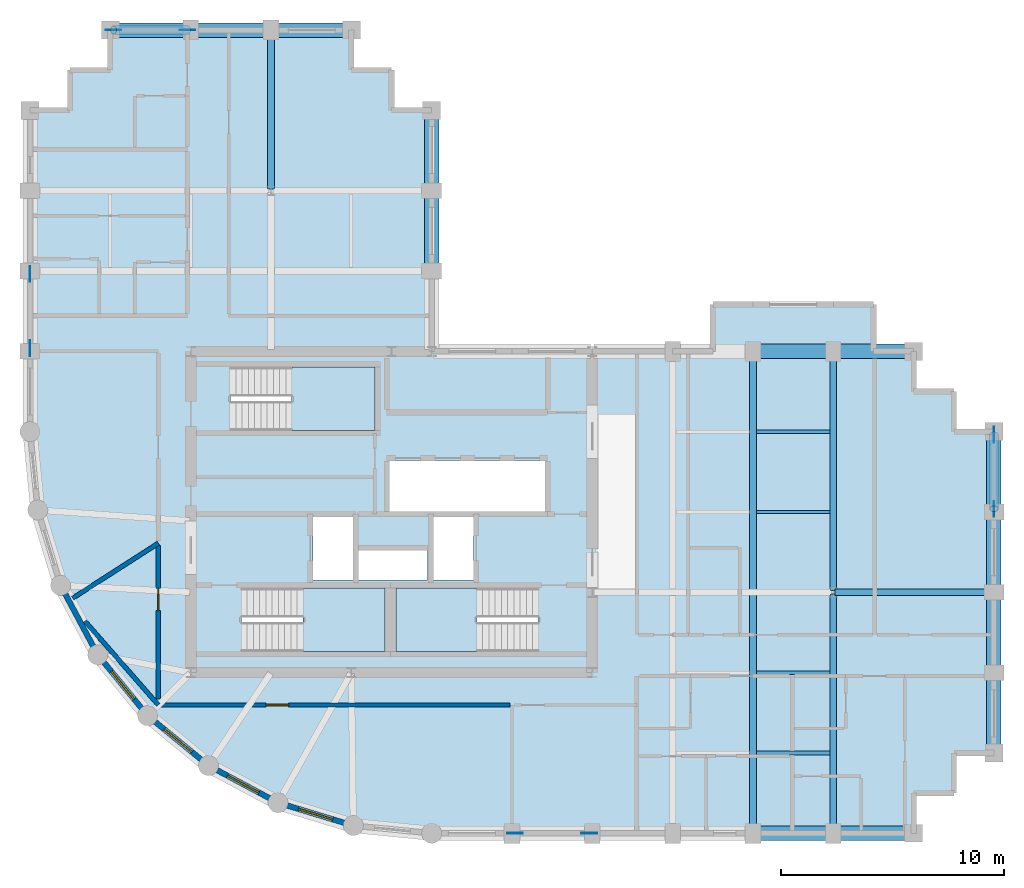
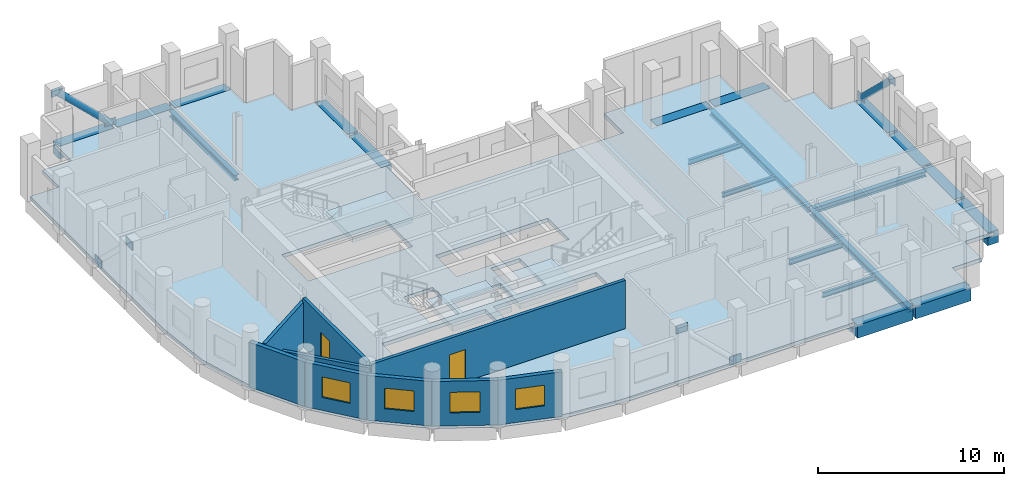
# One storey, part 2 of 8: 22 beams, 9 walls, 8 plates, 4 slabs, 4 windows, 2 doors, 2 members, 6 openings, 3 elements without a shape of their own.
"""IFC4 building model written with IfcOpenShell, lengths in metres."""

from ifc_helpers import new_model, si_unit, direction, frame, frame_2d, origin, origin_2d, place, context, subcontext, project, spatial, polyline, rectangle, hollow_circle, i_section, outline, extrude, material, layer, layer_set, material_profile, profile_set, type_object, element, fill, aggregate, save


model = new_model("IFC4")

# Units and contexts
model_context = context("Model", 3, precision=1e-05, world=origin(), true_north=direction((0.0, 1.0)))
body_context = subcontext(model_context, "Body", "Model", "MODEL_VIEW")
ifc_project = project(units=[si_unit("LENGTHUNIT", "METRE"), si_unit("AREAUNIT", "SQUARE_METRE"), si_unit("VOLUMEUNIT", "CUBIC_METRE"), si_unit("PLANEANGLEUNIT", "RADIAN"), si_unit("MASSUNIT", "GRAM", prefix="KILO")], contexts=[model_context])

# Site, building, storey
site_placement = place(None, origin())
site = spatial("IfcSite", under=ifc_project, at=site_placement, CompositionType="ELEMENT")
building_placement = place(site_placement, origin())
building = spatial("IfcBuilding", under=site, at=building_placement, Name="Solnavia Interchange Tower", CompositionType="ELEMENT")
storey_placement = place(building_placement, frame((0.0, 0.0, 186.199951171875)))
storey = spatial("IfcBuildingStorey", under=building, at=storey_placement, Name="L46", CompositionType="ELEMENT", Elevation=186.199951171875)

# Beams
ifc_material_1 = material(Name="Steel S460", Category="steel")
ifc_material_profile_1 = material_profile(ifc_material_1, i_section(OverallWidth=0.300048828125, OverallDepth=0.360107421875, WebThickness=0.012451171875, FlangeThickness=0.0224609375, FilletRadius=0.027099609375, at=origin_2d()), Name="HEB 360")
ifc_profile_set_1 = profile_set([ifc_material_profile_1], Name="Steel S460")
beam_type_1 = type_object("IfcBeamType", Name="Beam-Girder-HEB360", PredefinedType="BEAM", material=ifc_profile_set_1)
beam_1_placement = place(storey_placement, frame((43.280029296875, 14.39990234375, -0.429931640625), z_axis=(1.0, 0.0, 0.0), x_axis=(0.0, 1.0, 0.0)))
element("IfcBeam", 1, at=beam_1_placement, inside=storey, type_object=beam_type_1, Name="GRD-L46-ES02 East wing spine girder", PredefinedType="BEAM", context=body_context, shape_type="SweptSolid", body=[
    extrude(i_section(OverallWidth=0.300048828125, OverallDepth=0.360107421875, WebThickness=0.012451171875, FlangeThickness=0.0224609375, FilletRadius=0.027099609375, at=origin_2d()), origin(), (0.0, 0.0, 1.0), 7.0400390625),
])
beam_2_placement = place(storey_placement, frame((39.60009765625, 3.679931640625, -0.429931640625), z_axis=(0.0, 1.0, 0.0), x_axis=(-1.0, 0.0, 0.0)))
element("IfcBeam", 2, at=beam_2_placement, inside=storey, type_object=beam_type_1, Name="GRD-L46-EW04 East wing primary floor girder", PredefinedType="BEAM", context=body_context, shape_type="SweptSolid", body=[
    extrude(i_section(OverallWidth=0.300048828125, OverallDepth=0.360107421875, WebThickness=0.012451171875, FlangeThickness=0.0224609375, FilletRadius=0.027099609375, at=origin_2d()), origin(), (0.0, 0.0, 1.0), 21.440185546875),
])
beam_3_placement = place(storey_placement, frame((18.0, 32.47998046875, -0.429931640625), z_axis=(0.0, 1.0, 0.0), x_axis=(-1.0, 0.0, 0.0)))
element("IfcBeam", 3, at=beam_3_placement, inside=storey, type_object=beam_type_1, Name="GRD-L46-NS08 North wing spine girder", PredefinedType="BEAM", context=body_context, shape_type="SweptSolid", body=[
    extrude(i_section(OverallWidth=0.300048828125, OverallDepth=0.360107421875, WebThickness=0.012451171875, FlangeThickness=0.0224609375, FilletRadius=0.027099609375, at=origin_2d()), origin(), (0.0, 0.0, 1.0), 7.0400390625),
])
ifc_material_2 = material(Name="Steel S355", Category="steel")
ifc_material_profile_2 = material_profile(ifc_material_2, i_section(OverallWidth=0.14990234375, OverallDepth=0.300048828125, WebThickness=0.007080078125, FlangeThickness=0.0107421875, FilletRadius=0.014892578125, at=origin_2d()), Name="IPE 300")
ifc_profile_set_2 = profile_set([ifc_material_profile_2], Name="Steel S355")
beam_type_2 = type_object("IfcBeamType", Name="Beam-Joist-IPE300", PredefinedType="JOIST", material=ifc_profile_set_2)
beam_4_placement = place(storey_placement, frame((39.75, 18.0, -0.39990234375), z_axis=(1.0, 0.0, 0.0), x_axis=(0.0, 1.0, 0.0)))
element("IfcBeam", 4, at=beam_4_placement, inside=storey, type_object=beam_type_2, Name="JST-L46-E06 East wing secondary joist", PredefinedType="JOIST", context=body_context, shape_type="SweptSolid", body=[
    extrude(i_section(OverallWidth=0.14990234375, OverallDepth=0.300048828125, WebThickness=0.007080078125, FlangeThickness=0.0107421875, FilletRadius=0.014892578125, at=origin_2d()), origin(), (0.0, 0.0, 1.0), 3.300048828125),
])
ifc_material_profile_3 = material_profile(ifc_material_2, i_section(OverallWidth=0.159912109375, OverallDepth=0.330078125, WebThickness=0.007568359375, FlangeThickness=0.011474609375, FilletRadius=0.01806640625, at=origin_2d()), Name="IPE 330")
ifc_profile_set_3 = profile_set([ifc_material_profile_3], Name="Steel S355")
beam_type_3 = type_object("IfcBeamType", Name="Beam-Joist-IPE330", PredefinedType="JOIST", material=ifc_profile_set_3)
for number, where, z_axis, x_axis, name in (
    (5, (39.75, 7.199951171875, -0.4150390625), (1.0, 0.0, 0.0), (0.0, 1.0, 0.0), "JST-L46-E02 East wing secondary joist"),
    (6, (39.75, 21.60009765625, -0.4150390625), (1.0, 0.0, 0.0), (0.0, 1.0, 0.0), "JST-L46-E08 East wing secondary joist"),
):
    element("IfcBeam", number, at=place(storey_placement, frame(where, z_axis=z_axis, x_axis=x_axis)), inside=storey, type_object=beam_type_3, Name=name, PredefinedType="JOIST", context=body_context, shape_type="SweptSolid", body=[
        extrude(i_section(OverallWidth=0.159912109375, OverallDepth=0.330078125, WebThickness=0.007568359375, FlangeThickness=0.011474609375, FilletRadius=0.01806640625, at=origin_2d()), origin(), (0.0, 0.0, 1.0), 3.300048828125),
    ])
ifc_material_profile_4 = material_profile(ifc_material_2, i_section(OverallWidth=0.169921875, OverallDepth=0.360107421875, WebThickness=0.008056640625, FlangeThickness=0.0126953125, FilletRadius=0.01806640625, at=origin_2d()), Name="IPE 360")
ifc_profile_set_4 = profile_set([ifc_material_profile_4], Name="Steel S355")
beam_type_4 = type_object("IfcBeamType", Name="Beam-Joist-IPE360", PredefinedType="JOIST", material=ifc_profile_set_4)
beam_5_placement = place(storey_placement, frame((39.75, 10.800048828125, -0.429931640625), z_axis=(1.0, 0.0, 0.0), x_axis=(0.0, 1.0, 0.0)))
element("IfcBeam", 7, at=beam_5_placement, inside=storey, type_object=beam_type_4, Name="JST-L46-E04 East wing secondary joist", PredefinedType="JOIST", context=body_context, shape_type="SweptSolid", body=[
    extrude(i_section(OverallWidth=0.169921875, OverallDepth=0.360107421875, WebThickness=0.008056640625, FlangeThickness=0.0126953125, FilletRadius=0.01806640625, at=origin_2d()), origin(), (0.0, 0.0, 1.0), 3.300048828125),
])
ifc_material_profile_5 = material_profile(ifc_material_2, i_section(OverallWidth=0.300048828125, OverallDepth=0.35009765625, WebThickness=0.010009765625, FlangeThickness=0.017578125, FilletRadius=0.027099609375, at=origin_2d()), Name="HEA 360")
ifc_profile_set_5 = profile_set([ifc_material_profile_5], Name="Steel S355")
beam_type_5 = type_object("IfcBeamType", Name="Beam-Primary-HEA360", PredefinedType="BEAM", material=ifc_profile_set_5)
for number, where, z_axis, x_axis, name in (
    (8, (43.199951171875, 3.679931640625, -0.425048828125), (0.0, 1.0, 0.0), (-1.0, 0.0, 0.0), "GRD-L46-EW05 East wing primary floor girder"),
    (9, (43.199951171875, 14.47998046875, -0.425048828125), (0.0, 1.0, 0.0), (-1.0, 0.0, 0.0), "GRD-L46-EW06 East wing primary floor girder"),
):
    element("IfcBeam", number, at=place(storey_placement, frame(where, z_axis=z_axis, x_axis=x_axis)), inside=storey, type_object=beam_type_5, Name=name, PredefinedType="BEAM", context=body_context, shape_type="SweptSolid", body=[
        extrude(i_section(OverallWidth=0.300048828125, OverallDepth=0.35009765625, WebThickness=0.010009765625, FlangeThickness=0.017578125, FilletRadius=0.027099609375, at=origin_2d()), origin(), (0.0, 0.0, 1.0), 10.64013671875),
    ])
ifc_material_3 = material(Name="Concrete C50/60", Category="concrete")
ifc_material_profile_6 = material_profile(ifc_material_3, rectangle(XDim=0.64990234375, YDim=0.85009765625, at=origin_2d()), Name="RC 650x850")
ifc_profile_set_6 = profile_set([ifc_material_profile_6], Name="Concrete C50/60")
beam_type_6 = type_object("IfcBeamType", Name="Beam-Spandrel-RC650x850", PredefinedType="SPANDREL", material=ifc_profile_set_6)
beam_6_placement = place(storey_placement, frame((39.679931640625, 3.60009765625, -0.425048828125), z_axis=(1.0, 0.0, 0.0), x_axis=(0.0, 1.0, 0.0)))
element("IfcBeam", 10, at=beam_6_placement, inside=storey, type_object=beam_type_6, Name="SPB-L46-13 Framed-tube perimeter spandrel beam", PredefinedType="SPANDREL", context=body_context, shape_type="SweptSolid", body=[
    extrude(rectangle(XDim=0.64990234375, YDim=0.85009765625, at=origin_2d()), origin(), (0.0, 0.0, 1.0), 3.440185546875),
])
for number, where, z_axis, x_axis, name in (
    (11, (43.280029296875, 3.60009765625, -0.425048828125), (1.0, 0.0, 0.0), (0.0, 1.0, 0.0), "SPB-L46-14 Framed-tube perimeter spandrel beam"),
    (12, (50.39990234375, 7.280029296875, -0.425048828125), (0.0, 1.0, 0.0), (-1.0, 0.0, 0.0), "SPB-L46-15 Framed-tube perimeter spandrel beam"),
):
    element("IfcBeam", number, at=place(storey_placement, frame(where, z_axis=z_axis, x_axis=x_axis)), inside=storey, type_object=beam_type_6, Name=name, PredefinedType="SPANDREL", context=body_context, shape_type="SweptSolid", body=[
        extrude(rectangle(XDim=0.64990234375, YDim=0.85009765625, at=origin_2d()), origin(), (0.0, 0.0, 1.0), 3.43994140625),
    ])
beam_7_placement = place(storey_placement, frame((50.39990234375, 10.8798828125, -0.425048828125), z_axis=(0.0, 1.0, 0.0), x_axis=(-1.0, 0.0, 0.0)))
element("IfcBeam", 13, at=beam_7_placement, inside=storey, type_object=beam_type_6, Name="SPB-L46-16 Framed-tube perimeter spandrel beam", PredefinedType="SPANDREL", context=body_context, shape_type="SweptSolid", body=[
    extrude(rectangle(XDim=0.64990234375, YDim=0.85009765625, at=origin_2d()), origin(), (0.0, 0.0, 1.0), 3.440185546875),
])
for number, where, z_axis, x_axis, name in (
    (14, (50.39990234375, 14.47998046875, -0.425048828125), (0.0, 1.0, 0.0), (-1.0, 0.0, 0.0), "SPB-L46-17 Framed-tube perimeter spandrel beam"),
    (15, (50.39990234375, 18.080078125, -0.425048828125), (0.0, 1.0, 0.0), (-1.0, 0.0, 0.0), "SPB-L46-18 Framed-tube perimeter spandrel beam"),
    (16, (46.719970703125, 25.199951171875, -0.425048828125), (-1.0, 0.0, 0.0), (0.0, -1.0, 0.0), "SPB-L46-19 Framed-tube perimeter spandrel beam"),
):
    element("IfcBeam", number, at=place(storey_placement, frame(where, z_axis=z_axis, x_axis=x_axis)), inside=storey, type_object=beam_type_6, Name=name, PredefinedType="SPANDREL", context=body_context, shape_type="SweptSolid", body=[
        extrude(rectangle(XDim=0.64990234375, YDim=0.85009765625, at=origin_2d()), origin(), (0.0, 0.0, 1.0), 3.43994140625),
    ])
for number, where, z_axis, x_axis, name in (
    (17, (43.1201171875, 25.199951171875, -0.425048828125), (-1.0, 0.0, 0.0), (0.0, -1.0, 0.0), "SPB-L46-20 Framed-tube perimeter spandrel beam"),
    (18, (25.199951171875, 28.8798828125, -0.425048828125), (0.0, 1.0, 0.0), (-1.0, 0.0, 0.0), "SPB-L46-25 Framed-tube perimeter spandrel beam"),
):
    element("IfcBeam", number, at=place(storey_placement, frame(where, z_axis=z_axis, x_axis=x_axis)), inside=storey, type_object=beam_type_6, Name=name, PredefinedType="SPANDREL", context=body_context, shape_type="SweptSolid", body=[
        extrude(rectangle(XDim=0.64990234375, YDim=0.85009765625, at=origin_2d()), origin(), (0.0, 0.0, 1.0), 3.440185546875),
    ])
for number, where, z_axis, x_axis, name in (
    (19, (25.199951171875, 32.47998046875, -0.425048828125), (0.0, 1.0, 0.0), (-1.0, 0.0, 0.0), "SPB-L46-26 Framed-tube perimeter spandrel beam"),
    (20, (21.52001953125, 39.60009765625, -0.425048828125), (-1.0, 0.0, 0.0), (0.0, -1.0, 0.0), "SPB-L46-27 Framed-tube perimeter spandrel beam"),
    (21, (17.919921875, 39.60009765625, -0.425048828125), (-1.0, 0.0, 0.0), (0.0, -1.0, 0.0), "SPB-L46-28 Framed-tube perimeter spandrel beam"),
):
    element("IfcBeam", number, at=place(storey_placement, frame(where, z_axis=z_axis, x_axis=x_axis)), inside=storey, type_object=beam_type_6, Name=name, PredefinedType="SPANDREL", context=body_context, shape_type="SweptSolid", body=[
        extrude(rectangle(XDim=0.64990234375, YDim=0.85009765625, at=origin_2d()), origin(), (0.0, 0.0, 1.0), 3.43994140625),
    ])
beam_8_placement = place(storey_placement, frame((14.320068359375, 39.60009765625, -0.425048828125), z_axis=(-1.0, 0.0, 0.0), x_axis=(0.0, -1.0, 0.0)))
element("IfcBeam", 22, at=beam_8_placement, inside=storey, type_object=beam_type_6, Name="SPB-L46-29 Framed-tube perimeter spandrel beam", PredefinedType="SPANDREL", context=body_context, shape_type="SweptSolid", body=[
    extrude(rectangle(XDim=0.64990234375, YDim=0.85009765625, at=origin_2d()), origin(), (0.0, 0.0, 1.0), 3.440185546875),
])

# Members
ifc_material_profile_7 = material_profile(ifc_material_1, hollow_circle(Radius=0.203125, WallThickness=0.02001953125, at=origin_2d()), Name="CHS 406.4x20")
ifc_profile_set_7 = profile_set([ifc_material_profile_7], Name="Steel S460")
member_type = type_object("IfcMemberType", Name="Brace-Perim-CHS406", PredefinedType="BRACE", material=ifc_profile_set_7)
for number, where, z_axis, x_axis, name in (
    (23, (50.39990234375, 21.4599609375, 0.179931640625), (0.0, -0.721070427335, 0.692861774688), (1.0, 0.0, 0.0), "BRC-L46-03 Perimeter tube diagonal brace"),
    (24, (14.260009765625, 39.60009765625, 0.179931640625), (-0.721070427335, 0.0, 0.692861774688), (0.0, -1.0, 0.0), "BRC-L46-04 Perimeter tube diagonal brace"),
):
    element("IfcMember", number, at=place(storey_placement, frame(where, z_axis=z_axis, x_axis=x_axis)), inside=storey, type_object=member_type, Name=name, PredefinedType="BRACE", context=body_context, shape_type="SweptSolid", body=[
        extrude(hollow_circle(Radius=0.203125, WallThickness=0.02001953125, at=origin_2d()), origin(), (0.0, 0.0, 1.0), 4.604248046875),
    ])

# Plates
ifc_layer_1 = layer(ifc_material_1, 0.030029296875)
ifc_layer_set_1 = layer_set([ifc_layer_1], Name="Steel S460")
plate_type = type_object("IfcPlateType", Name="Plate-Gusset-700x520x30", PredefinedType="USERDEFINED", material=ifc_layer_set_1)
for number, where, z_axis, x_axis, name in (
    (25, (32.260009765625, 3.60009765625, -0.080078125), (0.0, 0.0, 1.0), (-1.0, 0.0, 0.0), "PLT-L46-GP01 Perimeter brace gusset plate"),
    (26, (28.93994140625, 3.60009765625, 3.110107421875), (0.0, 0.0, 1.0), (-1.0, 0.0, 0.0), "PLT-L46-GP02 Perimeter brace gusset plate"),
    (27, (7.199951171875, 28.659912109375, -0.080078125), (0.0, 0.0, 1.0), (0.0, -1.0, 0.0), "PLT-L46-GP03 Perimeter brace gusset plate"),
    (28, (7.199951171875, 25.340087890625, 3.110107421875), (0.0, 0.0, 1.0), (0.0, -1.0, 0.0), "PLT-L46-GP04 Perimeter brace gusset plate"),
    (29, (50.39990234375, 21.4599609375, -0.080078125), (0.0, 0.0, 1.0), (0.0, -1.0, 0.0), "PLT-L46-GP05 Perimeter brace gusset plate"),
    (30, (50.39990234375, 18.139892578125, 3.110107421875), (0.0, 0.0, 1.0), (0.0, -1.0, 0.0), "PLT-L46-GP06 Perimeter brace gusset plate"),
    (31, (14.260009765625, 39.60009765625, -0.080078125), (0.0, 0.0, 1.0), (-1.0, 0.0, 0.0), "PLT-L46-GP07 Perimeter brace gusset plate"),
    (32, (10.93994140625, 39.60009765625, 3.110107421875), (0.0, 0.0, 1.0), (-1.0, 0.0, 0.0), "PLT-L46-GP08 Perimeter brace gusset plate"),
):
    element("IfcPlate", number, at=place(storey_placement, frame(where, z_axis=z_axis, x_axis=x_axis)), inside=storey, type_object=plate_type, Name=name, ObjectType="GUSSET PLATE", PredefinedType="USERDEFINED", context=body_context, shape_type="SweptSolid", body=[
        extrude(rectangle(XDim=0.699951171875, YDim=0.030029296875, at=origin_2d()), origin(), (0.0, 0.0, 1.0), 0.52001953125),
    ])

# Stair, slab
ifc_material_4 = material(Name="Concrete C40/50", Category="concrete")
stair_type = type_object("IfcStairType", Name="Stair-Dogleg-RC", PredefinedType="HALF_TURN_STAIR", material=ifc_material_4)
stair_1_placement = place(storey_placement, origin())
stair_1 = element("IfcStair", 33, at=stair_1_placement, inside=storey, type_object=stair_type, Name="L46 Core exit stair 1", PredefinedType="HALF_TURN_STAIR")
ifc_layer_2 = layer(ifc_material_4, 0.35009765625)
ifc_layer_set_2 = layer_set([ifc_layer_2], Name="Concrete C40/50")
slab_type_1 = type_object("IfcSlabType", Name="Slab-StairLanding-350", PredefinedType="LANDING", material=ifc_layer_set_2)
slab_1_placement = place(storey_placement, frame((0.0, 0.0, 1.550048828125)))
slab_1 = element("IfcSlab", 34, at=slab_1_placement, type_object=slab_type_1, Name="ST-1 landing 1", PredefinedType="LANDING", context=body_context, shape_type="SweptSolid", body=[
    extrude(outline(polyline([(19.427978515625, 11.75), (23.10009765625, 11.75), (23.10009765625, 14.590087890625), (19.427978515625, 14.590087890625), (19.427978515625, 11.75)])), origin(), (0.0, 0.0, 1.0), 0.35009765625),
])
aggregate(stair_1, [slab_1])

stair_2_placement = place(storey_placement, origin())
stair_2 = element("IfcStair", 35, at=stair_2_placement, inside=storey, type_object=stair_type, Name="L46 Core exit stair 2", PredefinedType="HALF_TURN_STAIR")
slab_2_placement = place(storey_placement, frame((0.0, 0.0, 1.550048828125)))
slab_2 = element("IfcSlab", 36, at=slab_2_placement, type_object=slab_type_1, Name="ST-2 landing 1", PredefinedType="LANDING", context=body_context, shape_type="SweptSolid", body=[
    extrude(outline(polyline([(23.60009765625, 11.75), (27.221923828125, 11.75), (27.221923828125, 14.590087890625), (23.60009765625, 14.590087890625), (23.60009765625, 11.75)])), origin(), (0.0, 0.0, 1.0), 0.35009765625),
])
aggregate(stair_2, [slab_2])

stair_3_placement = place(storey_placement, origin())
stair_3 = element("IfcStair", 37, at=stair_3_placement, inside=storey, type_object=stair_type, Name="L46 Core exit stair 3", PredefinedType="HALF_TURN_STAIR")
slab_3_placement = place(storey_placement, frame((0.0, 0.0, 1.550048828125)))
slab_3 = element("IfcSlab", 38, at=slab_3_placement, type_object=slab_type_1, Name="ST-3 landing 1", PredefinedType="LANDING", context=body_context, shape_type="SweptSolid", body=[
    extrude(outline(polyline([(18.927978515625, 21.64990234375), (22.64990234375, 21.64990234375), (22.64990234375, 24.489990234375), (18.927978515625, 24.489990234375), (18.927978515625, 21.64990234375)])), origin(), (0.0, 0.0, 1.0), 0.35009765625),
])
aggregate(stair_3, [slab_3])

# Slab
ifc_layer_3 = layer(ifc_material_4, 0.25)
ifc_layer_set_3 = layer_set([ifc_layer_3], Name="Concrete C40/50")
slab_type_2 = type_object("IfcSlabType", Name="Slab-Tower-250", PredefinedType="FLOOR", material=ifc_layer_set_3)
slab_4_placement = place(storey_placement, frame((0.0, 0.0, -0.25)))
element("IfcSlab", 39, at=slab_4_placement, inside=storey, type_object=slab_type_2, Name="SLB-L46-01 Structural floor slab", PredefinedType="FLOOR", context=body_context, shape_type="SweptSolid", body=[
    extrude(outline(polyline([(25.199951171875, 3.60009765625), (46.800048828125, 3.60009765625), (46.800048828125, 5.39990234375), (48.60009765625, 5.39990234375), (48.60009765625, 7.199951171875), (50.39990234375, 7.199951171875), (50.39990234375, 21.60009765625), (48.60009765625, 21.60009765625), (48.60009765625, 23.39990234375), (46.800048828125, 23.39990234375), (46.800048828125, 25.199951171875), (45.0, 25.199951171875), (45.0, 27.300048828125), (37.800048828125, 27.300048828125), (37.800048828125, 25.199951171875), (25.199951171875, 25.199951171875), (25.199951171875, 36.0), (23.39990234375, 36.0), (23.39990234375, 37.800048828125), (21.60009765625, 37.800048828125), (21.60009765625, 39.60009765625), (10.800048828125, 39.60009765625), (10.800048828125, 37.800048828125), (9.0, 37.800048828125), (9.0, 36.0), (7.199951171875, 36.0), (7.199951171875, 21.60009765625), (7.5458984375, 18.087890625), (8.570068359375, 14.7119140625), (10.23388671875, 11.60009765625), (12.471923828125, 8.8720703125), (15.199951171875, 6.634033203125), (18.31201171875, 4.969970703125), (21.68798828125, 3.946044921875), (25.199951171875, 3.60009765625)]), holes=[polyline([(16.675048828125, 11.75), (23.10009765625, 11.75), (23.10009765625, 14.590087890625), (16.675048828125, 14.590087890625), (16.675048828125, 11.75)]), polyline([(23.60009765625, 11.75), (29.97509765625, 11.75), (29.97509765625, 14.590087890625), (23.60009765625, 14.590087890625), (23.60009765625, 11.75)]), polyline([(16.175048828125, 21.64990234375), (22.64990234375, 21.64990234375), (22.64990234375, 24.489990234375), (16.175048828125, 24.489990234375), (16.175048828125, 21.64990234375)]), polyline([(19.8798828125, 14.9599609375), (21.679931640625, 14.9599609375), (21.679931640625, 17.780029296875), (19.8798828125, 17.780029296875), (19.8798828125, 14.9599609375)]), polyline([(25.280029296875, 14.9599609375), (27.080078125, 14.9599609375), (27.080078125, 17.780029296875), (25.280029296875, 17.780029296875), (25.280029296875, 14.9599609375)]), polyline([(21.919921875, 14.9599609375), (25.02001953125, 14.9599609375), (25.02001953125, 16.280029296875), (21.919921875, 16.280029296875), (21.919921875, 14.9599609375)]), polyline([(23.300048828125, 18.02001953125), (30.280029296875, 18.02001953125), (30.280029296875, 20.300048828125), (23.300048828125, 20.300048828125), (23.300048828125, 18.02001953125)])]), origin(), (0.0, 0.0, 1.0), 0.25),
])

# Walls
ifc_material_5 = material(Name="Gypsum Acoustic Twin-Stud & Mineral Wool", Category="gypsum")
ifc_layer_4 = layer(ifc_material_5, 0.199951171875)
ifc_layer_set_4 = layer_set([ifc_layer_4], Name="Gypsum Acoustic Twin-Stud & Mineral Wool")
wall_type_1 = type_object("IfcWallType", Name="Wall-ApartmentParty-200", PredefinedType="PARTITIONING", material=ifc_layer_set_4)
wall_1_placement = place(storey_placement, frame((12.949951171875, 9.35009765625, 0.0), z_axis=(0.0, 0.0, 1.0), x_axis=(-0.658639514157, 0.752458630352, 0.0)))
element("IfcWall", 40, at=wall_1_placement, inside=storey, type_object=wall_type_1, Name="PTW-L46-09 Interior partition wall", PredefinedType="PARTITIONING", context=body_context, shape_type="SweptSolid", body=[
    extrude(rectangle(XDim=4.996337890625, YDim=0.199951171875, at=frame_2d((2.498046875, 0.0))), origin(), (0.0, 0.0, 1.0), 2.929931640625),
])
wall_2_placement = place(storey_placement, frame((12.949951171875, 16.60009765625, 0.0), z_axis=(0.0, 0.0, 1.0), x_axis=(-0.841685822078, -0.539967570242, 0.0)))
element("IfcWall", 41, at=wall_2_placement, inside=storey, type_object=wall_type_1, Name="PTW-L46-10 Interior partition wall", PredefinedType="PARTITIONING", context=body_context, shape_type="SweptSolid", body=[
    extrude(rectangle(XDim=4.56201171875, YDim=0.199951171875, at=frame_2d((2.281005859375, 0.0))), origin(), (0.0, 0.0, 1.0), 2.929931640625),
])

# Wall, opening, door
wall_3_placement = place(storey_placement, frame((12.949951171875, 9.623291015625, 0.0), z_axis=(0.0, 0.0, 1.0), x_axis=(0.0, 1.0, 0.0)))
wall_3 = element("IfcWall", 42, at=wall_3_placement, inside=storey, type_object=wall_type_1, Name="PTW-L46-12 Interior partition wall", PredefinedType="PARTITIONING", context=body_context, shape_type="SweptSolid", body=[
    extrude(rectangle(XDim=6.872802734375, YDim=0.199951171875, at=frame_2d((3.4365234375, 0.0))), origin(), (0.0, 0.0, 1.0), 3.170166015625),
])
opening_1_placement = place(wall_3_placement, frame((3.9580078125, 0.0, 0.0)))
opening_1 = element("IfcOpeningElement", 43, at=opening_1_placement, cuts=wall_3, Name="Opening DR-07", PredefinedType="OPENING", context=body_context, shape_type="SweptSolid", body=[
    extrude(rectangle(XDim=1.0, YDim=2.10009765625, at=frame_2d((0.5, 1.050048828125))), frame((0.0, 0.10986328125, 0.0), z_axis=(0.0, -1.0, 0.0), x_axis=(1.0, 0.0, 0.0)), (0.0, 0.0, 1.0), 0.219970703125),
])
ifc_material_6 = material(Name="Timber & Acoustic Glazed Office Door", Category="wood")
door_type = type_object("IfcDoorType", Name="Door-Office-1000x2100", OperationType="SINGLE_SWING_RIGHT", PredefinedType="DOOR", material=ifc_material_6)
door_1_placement = place(opening_1_placement, origin())
door_1 = element("IfcDoor", 44, at=door_1_placement, inside=storey, type_object=door_type, Name="DR-L46-04 Interior room door", OperationType="SINGLE_SWING_RIGHT", OverallHeight=2.10009765625, OverallWidth=1.0, PredefinedType="DOOR", context=body_context, shape_type="SweptSolid", body=[
    extrude(rectangle(XDim=1.0, YDim=2.10009765625, at=frame_2d((0.5, 1.050048828125))), frame((0.0, 0.02490234375, 0.0), z_axis=(0.0, -1.0, 0.0), x_axis=(1.0, 0.0, 0.0)), (0.0, 0.0, 1.0), 0.050048828125),
])
fill(opening_1, door_1)

wall_4_placement = place(storey_placement, frame((12.949951171875, 9.35009765625, 0.0), z_axis=(0.0, 0.0, 1.0), x_axis=(1.0, 0.0, 0.0)))
wall_4 = element("IfcWall", 45, at=wall_4_placement, inside=storey, type_object=wall_type_1, Name="PTW-L46-13 Interior partition wall", PredefinedType="PARTITIONING", context=body_context, shape_type="SweptSolid", body=[
    extrude(rectangle(XDim=15.77099609375, YDim=0.199951171875, at=frame_2d((7.885498046875, 0.0))), origin(), (0.0, 0.0, 1.0), 3.170166015625),
])
opening_2_placement = place(wall_4_placement, frame((4.8359375, 0.0, 0.0)))
opening_2 = element("IfcOpeningElement", 46, at=opening_2_placement, cuts=wall_4, Name="Opening DR-07", PredefinedType="OPENING", context=body_context, shape_type="SweptSolid", body=[
    extrude(rectangle(XDim=1.0, YDim=2.10009765625, at=frame_2d((0.5, 1.050048828125))), frame((0.0, 0.10986328125, 0.0), z_axis=(0.0, -1.0, 0.0), x_axis=(1.0, 0.0, 0.0)), (0.0, 0.0, 1.0), 0.219970703125),
])
door_2_placement = place(opening_2_placement, origin())
door_2 = element("IfcDoor", 47, at=door_2_placement, inside=storey, type_object=door_type, Name="DR-L46-05 Interior room door", OperationType="SINGLE_SWING_LEFT", OverallHeight=2.10009765625, OverallWidth=1.0, PredefinedType="DOOR", context=body_context, shape_type="SweptSolid", body=[
    extrude(rectangle(XDim=1.0, YDim=2.10009765625, at=frame_2d((0.5, 1.050048828125))), frame((0.0, 0.02490234375, 0.0), z_axis=(0.0, -1.0, 0.0), x_axis=(1.0, 0.0, 0.0)), (0.0, 0.0, 1.0), 0.050048828125),
])
fill(opening_2, door_2)

# Wall
ifc_layer_5 = layer(ifc_material_4, 0.25)
ifc_layer_set_5 = layer_set([ifc_layer_5], Name="Concrete C40/50")
wall_type_2 = type_object("IfcWallType", Name="Wall-ExtSpandrel-250", PredefinedType="STANDARD", material=ifc_layer_set_5)
wall_5_placement = place(storey_placement, frame((10.23388671875, 11.60009765625, 0.0), z_axis=(0.0, 0.0, 1.0), x_axis=(-0.47151087309, 0.881860247748, 0.0)))
element("IfcWall", 48, at=wall_5_placement, inside=storey, type_object=wall_type_2, Name="EXW-L46-49 Exterior precast spandrel wall", PredefinedType="STANDARD", context=body_context, shape_type="SweptSolid", body=[
    extrude(rectangle(XDim=3.52880859375, YDim=0.25, at=frame_2d((1.764404296875, 0.0))), origin(), (0.0, 0.0, 1.0), 2.929931640625),
])

# Wall, opening, window
wall_6_placement = place(storey_placement, frame((12.471923828125, 8.8720703125, 0.0), z_axis=(0.0, 0.0, 1.0), x_axis=(-0.634258295121, 0.773121216285, 0.0)))
wall_6 = element("IfcWall", 49, at=wall_6_placement, inside=storey, type_object=wall_type_2, Name="EXW-L46-50 Exterior precast spandrel wall", PredefinedType="STANDARD", context=body_context, shape_type="SweptSolid", body=[
    extrude(rectangle(XDim=3.528564453125, YDim=0.25, at=frame_2d((1.76416015625, 0.0))), origin(), (0.0, 0.0, 1.0), 2.929931640625),
])
opening_3_placement = place(wall_6_placement, frame((0.964111328125, 0.0, 0.85009765625)))
opening_3 = element("IfcOpeningElement", 50, at=opening_3_placement, cuts=wall_6, Name="Opening WIN-04", PredefinedType="OPENING", context=body_context, shape_type="SweptSolid", body=[
    extrude(rectangle(XDim=1.60009765625, YDim=1.35009765625, at=frame_2d((0.800048828125, 0.675048828125))), frame((0.0, 0.135009765625, 0.0), z_axis=(0.0, -1.0, 0.0), x_axis=(1.0, 0.0, 0.0)), (0.0, 0.0, 1.0), 0.27001953125),
])
ifc_material_7 = material(Name="Thermal-Break Aluminium & Low-E Glass", Category="aluminium")
window_type = type_object("IfcWindowType", Name="Window-Drum-1600x1350", PartitioningType="SINGLE_PANEL", PredefinedType="WINDOW", material=ifc_material_7)
window_1_placement = place(opening_3_placement, origin())
window_1 = element("IfcWindow", 51, at=window_1_placement, inside=storey, type_object=window_type, Name="WIN-L46-50 Facade ribbon window", OverallHeight=1.35009765625, OverallWidth=1.60009765625, PartitioningType="SINGLE_PANEL", PredefinedType="WINDOW", context=body_context, shape_type="SweptSolid", body=[
    extrude(rectangle(XDim=1.60009765625, YDim=1.35009765625, at=frame_2d((0.800048828125, 0.675048828125))), frame((0.0, 0.030029296875, 0.0), z_axis=(0.0, -1.0, 0.0), x_axis=(1.0, 0.0, 0.0)), (0.0, 0.0, 1.0), 0.06005859375),
])
fill(opening_3, window_1)

wall_7_placement = place(storey_placement, frame((15.199951171875, 6.634033203125, 0.0), z_axis=(0.0, 0.0, 1.0), x_axis=(-0.773121216285, 0.634258295121, 0.0)))
wall_7 = element("IfcWall", 52, at=wall_7_placement, inside=storey, type_object=wall_type_2, Name="EXW-L46-51 Exterior precast spandrel wall", PredefinedType="STANDARD", context=body_context, shape_type="SweptSolid", body=[
    extrude(rectangle(XDim=3.528564453125, YDim=0.25, at=frame_2d((1.76416015625, 0.0))), origin(), (0.0, 0.0, 1.0), 2.929931640625),
])
opening_4_placement = place(wall_7_placement, frame((0.964111328125, 0.0, 0.85009765625)))
opening_4 = element("IfcOpeningElement", 53, at=opening_4_placement, cuts=wall_7, Name="Opening WIN-04", PredefinedType="OPENING", context=body_context, shape_type="SweptSolid", body=[
    extrude(rectangle(XDim=1.60009765625, YDim=1.35009765625, at=frame_2d((0.800048828125, 0.675048828125))), frame((0.0, 0.135009765625, 0.0), z_axis=(0.0, -1.0, 0.0), x_axis=(1.0, 0.0, 0.0)), (0.0, 0.0, 1.0), 0.27001953125),
])
window_2_placement = place(opening_4_placement, origin())
window_2 = element("IfcWindow", 54, at=window_2_placement, inside=storey, type_object=window_type, Name="WIN-L46-51 Facade ribbon window", OverallHeight=1.35009765625, OverallWidth=1.60009765625, PartitioningType="SINGLE_PANEL", PredefinedType="WINDOW", context=body_context, shape_type="SweptSolid", body=[
    extrude(rectangle(XDim=1.60009765625, YDim=1.35009765625, at=frame_2d((0.800048828125, 0.675048828125))), frame((0.0, 0.030029296875, 0.0), z_axis=(0.0, -1.0, 0.0), x_axis=(1.0, 0.0, 0.0)), (0.0, 0.0, 1.0), 0.06005859375),
])
fill(opening_4, window_2)

wall_8_placement = place(storey_placement, frame((18.31201171875, 4.969970703125, 0.0), z_axis=(0.0, 0.0, 1.0), x_axis=(-0.881846862014, 0.471535907389, 0.0)))
wall_8 = element("IfcWall", 55, at=wall_8_placement, inside=storey, type_object=wall_type_2, Name="EXW-L46-52 Exterior precast spandrel wall", PredefinedType="STANDARD", context=body_context, shape_type="SweptSolid", body=[
    extrude(rectangle(XDim=3.529052734375, YDim=0.25, at=frame_2d((1.7646484375, 0.0))), origin(), (0.0, 0.0, 1.0), 2.929931640625),
])
opening_5_placement = place(wall_8_placement, frame((0.964111328125, 0.0, 0.85009765625)))
opening_5 = element("IfcOpeningElement", 56, at=opening_5_placement, cuts=wall_8, Name="Opening WIN-04", PredefinedType="OPENING", context=body_context, shape_type="SweptSolid", body=[
    extrude(rectangle(XDim=1.60009765625, YDim=1.35009765625, at=frame_2d((0.800048828125, 0.675048828125))), frame((0.0, 0.135009765625, 0.0), z_axis=(0.0, -1.0, 0.0), x_axis=(1.0, 0.0, 0.0)), (0.0, 0.0, 1.0), 0.27001953125),
])
window_3_placement = place(opening_5_placement, origin())
window_3 = element("IfcWindow", 57, at=window_3_placement, inside=storey, type_object=window_type, Name="WIN-L46-52 Facade ribbon window", OverallHeight=1.35009765625, OverallWidth=1.60009765625, PartitioningType="SINGLE_PANEL", PredefinedType="WINDOW", context=body_context, shape_type="SweptSolid", body=[
    extrude(rectangle(XDim=1.60009765625, YDim=1.35009765625, at=frame_2d((0.800048828125, 0.675048828125))), frame((0.0, 0.030029296875, 0.0), z_axis=(0.0, -1.0, 0.0), x_axis=(1.0, 0.0, 0.0)), (0.0, 0.0, 1.0), 0.06005859375),
])
fill(opening_5, window_3)

wall_9_placement = place(storey_placement, frame((21.68798828125, 3.946044921875, 0.0), z_axis=(0.0, 0.0, 1.0), x_axis=(-0.956953367403, 0.290241714123, 0.0)))
wall_9 = element("IfcWall", 58, at=wall_9_placement, inside=storey, type_object=wall_type_2, Name="EXW-L46-53 Exterior precast spandrel wall", PredefinedType="STANDARD", context=body_context, shape_type="SweptSolid", body=[
    extrude(rectangle(XDim=3.52783203125, YDim=0.25, at=frame_2d((1.763916015625, 0.0))), origin(), (0.0, 0.0, 1.0), 2.929931640625),
])
opening_6_placement = place(wall_9_placement, frame((0.964111328125, 0.0, 0.85009765625)))
opening_6 = element("IfcOpeningElement", 59, at=opening_6_placement, cuts=wall_9, Name="Opening WIN-04", PredefinedType="OPENING", context=body_context, shape_type="SweptSolid", body=[
    extrude(rectangle(XDim=1.60009765625, YDim=1.35009765625, at=frame_2d((0.800048828125, 0.675048828125))), frame((0.0, 0.135009765625, 0.0), z_axis=(0.0, -1.0, 0.0), x_axis=(1.0, 0.0, 0.0)), (0.0, 0.0, 1.0), 0.27001953125),
])
window_4_placement = place(opening_6_placement, origin())
window_4 = element("IfcWindow", 60, at=window_4_placement, inside=storey, type_object=window_type, Name="WIN-L46-53 Facade ribbon window", OverallHeight=1.35009765625, OverallWidth=1.60009765625, PartitioningType="SINGLE_PANEL", PredefinedType="WINDOW", context=body_context, shape_type="SweptSolid", body=[
    extrude(rectangle(XDim=1.60009765625, YDim=1.35009765625, at=frame_2d((0.800048828125, 0.675048828125))), frame((0.0, 0.030029296875, 0.0), z_axis=(0.0, -1.0, 0.0), x_axis=(1.0, 0.0, 0.0)), (0.0, 0.0, 1.0), 0.06005859375),
])
fill(opening_6, window_4)

save(model, "model.ifc")
